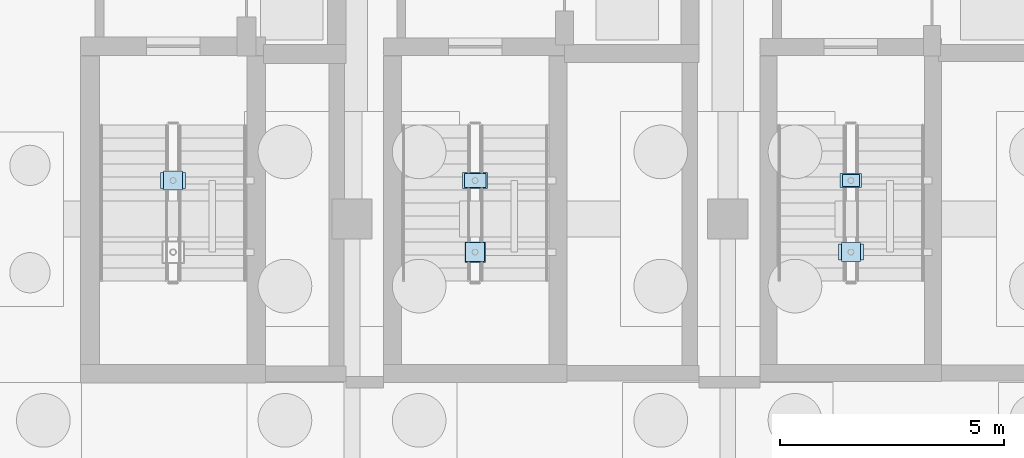
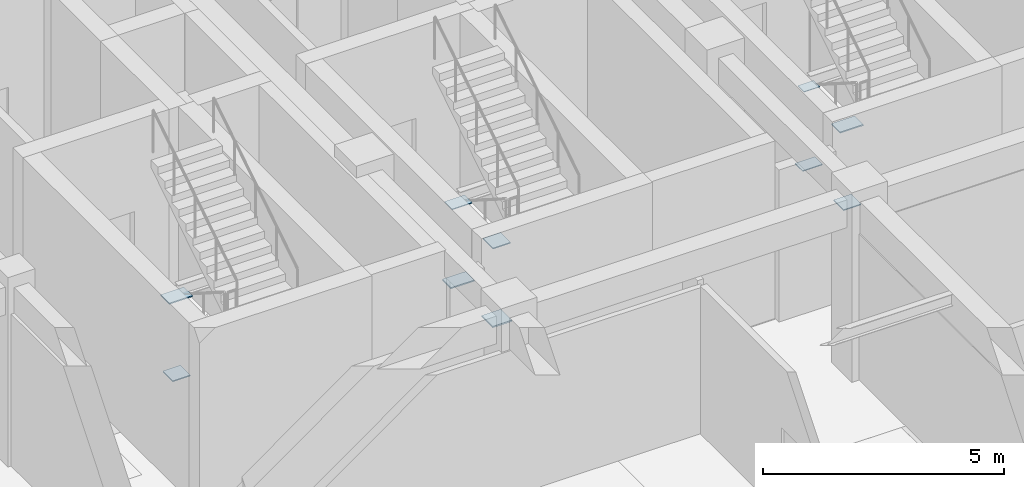
# One storey, part 35 of 49: 10 plates.
"""IFC4 building model written with IfcOpenShell, lengths in metres."""

from ifc_helpers import new_model, si_unit, direction, frame, origin, origin_2d, place, context, subcontext, project, spatial, rectangle, extrude, material, layer, layer_set, type_object, element, save


model = new_model("IFC4")

# Units and contexts
model_context = context("Model", 3, precision=1e-05, world=origin(), true_north=direction((0.0, 1.0)))
body_context = subcontext(model_context, "Body", "Model", "MODEL_VIEW")
ifc_project = project(units=[si_unit("LENGTHUNIT", "METRE"), si_unit("AREAUNIT", "SQUARE_METRE"), si_unit("VOLUMEUNIT", "CUBIC_METRE"), si_unit("PLANEANGLEUNIT", "RADIAN"), si_unit("MASSUNIT", "GRAM", prefix="KILO")], contexts=[model_context])

# Site, building, storey
site_placement = place(None, origin())
site = spatial("IfcSite", under=ifc_project, at=site_placement, CompositionType="ELEMENT")
building_placement = place(site_placement, origin())
building = spatial("IfcBuilding", under=site, at=building_placement, Name="Krzemoval Escarpment Law Courts", CompositionType="ELEMENT")
storey_placement = place(building_placement, frame((0.0, 0.0, -4.800048828125)))
storey = spatial("IfcBuildingStorey", under=building, at=storey_placement, Name="B1", CompositionType="ELEMENT", Elevation=-4.800048828125)

# Plates
ifc_material_1 = material(Name="Steel S355", Category="steel")
ifc_layer_1 = layer(ifc_material_1, 0.02392578125)
ifc_layer_set_1 = layer_set([ifc_layer_1], Name="Steel S355")
plate_type_1 = type_object("IfcPlateType", Name="PLT-FLG-24", PredefinedType="USERDEFINED", material=ifc_layer_set_1)
for number, where, z_axis, x_axis, name in (
    (1, (130.39990234375, 100.4599609375, -0.011962890625), (0.0, 0.0, 1.0), (1.0, 0.0, 0.0), "Gusset and End-Cap Plate ECP-0296"),
    (2, (137.14990234375, 98.860107421875, 1.9580078125), (0.0, 0.0, 1.0), (1.0, 0.0, 0.0), "Gusset and End-Cap Plate ECP-0317"),
    (3, (145.550048828125, 98.860107421875, -0.011962890625), (0.0, 0.0, 1.0), (1.0, 0.0, 0.0), "Gusset and End-Cap Plate ECP-0338"),
):
    element("IfcPlate", number, at=place(storey_placement, frame(where, z_axis=z_axis, x_axis=x_axis)), inside=storey, type_object=plate_type_1, Name=name, ObjectType="FLANGE_PLATE", PredefinedType="USERDEFINED", context=body_context, shape_type="SweptSolid", body=[
        extrude(rectangle(XDim=0.419921875, YDim=0.419921875, at=origin_2d()), origin(), (0.0, 0.0, 1.0), 0.02392578125),
    ])
ifc_material_2 = material(Name="Steel S355", Category="steel")
ifc_layer_2 = layer(ifc_material_2, 0.034912109375)
ifc_layer_set_2 = layer_set([ifc_layer_2], Name="Steel S355")
plate_type_2 = type_object("IfcPlateType", Name="PLT-FLG-35", PredefinedType="USERDEFINED", material=ifc_layer_set_2)
plate_1_placement = place(storey_placement, frame((137.14990234375, 98.860107421875, -0.017578125), z_axis=(0.0, 0.0, 1.0), x_axis=(1.0, 0.0, 0.0)))
element("IfcPlate", 4, at=plate_1_placement, inside=storey, type_object=plate_type_2, Name="Gusset and End-Cap Plate ECP-0316", ObjectType="FLANGE_PLATE", PredefinedType="USERDEFINED", context=body_context, shape_type="SweptSolid", body=[
    extrude(rectangle(XDim=0.4599609375, YDim=0.4599609375, at=origin_2d()), origin(), (0.0, 0.0, 1.0), 0.034912109375),
])
ifc_material_3 = material(Name="Steel S355", Category="steel")
ifc_layer_3 = layer(ifc_material_3, 0.01611328125)
ifc_layer_set_3 = layer_set([ifc_layer_3], Name="Steel S355")
plate_type_3 = type_object("IfcPlateType", Name="PLT-GUS-16", PredefinedType="USERDEFINED", material=ifc_layer_set_3)
plate_2_placement = place(storey_placement, frame((145.550048828125, 100.4599609375, 1.9619140625), z_axis=(0.0, 0.0, 1.0), x_axis=(1.0, 0.0, 0.0)))
element("IfcPlate", 5, at=plate_2_placement, inside=storey, type_object=plate_type_3, Name="Gusset and End-Cap Plate ECP-0341", ObjectType="GUSSET_PLATE", PredefinedType="USERDEFINED", context=body_context, shape_type="SweptSolid", body=[
    extrude(rectangle(XDim=0.3798828125, YDim=0.260009765625, at=origin_2d()), origin(), (0.0, 0.0, 1.0), 0.01611328125),
])
ifc_material_4 = material(Name="Steel S355", Category="steel")
ifc_layer_4 = layer(ifc_material_4, 0.02001953125)
ifc_layer_set_4 = layer_set([ifc_layer_4], Name="Steel S355")
plate_type_4 = type_object("IfcPlateType", Name="PLT-GUS-20", PredefinedType="USERDEFINED", material=ifc_layer_set_4)
for number, where, z_axis, x_axis, name in (
    (6, (137.14990234375, 100.4599609375, 1.9599609375), (0.0, 0.0, 1.0), (1.0, 0.0, 0.0), "Gusset and End-Cap Plate ECP-0319"),
    (7, (145.550048828125, 100.4599609375, -0.010009765625), (0.0, 0.0, 1.0), (1.0, 0.0, 0.0), "Gusset and End-Cap Plate ECP-0340"),
):
    element("IfcPlate", number, at=place(storey_placement, frame(where, z_axis=z_axis, x_axis=x_axis)), inside=storey, type_object=plate_type_4, Name=name, ObjectType="GUSSET_PLATE", PredefinedType="USERDEFINED", context=body_context, shape_type="SweptSolid", body=[
        extrude(rectangle(XDim=0.47998046875, YDim=0.320068359375, at=origin_2d()), origin(), (0.0, 0.0, 1.0), 0.02001953125),
    ])
ifc_material_5 = material(Name="Steel S355", Category="steel")
ifc_layer_5 = layer(ifc_material_5, 0.030029296875)
ifc_layer_set_5 = layer_set([ifc_layer_5], Name="Steel S355")
plate_type_5 = type_object("IfcPlateType", Name="PLT-GUS-30", PredefinedType="USERDEFINED", material=ifc_layer_set_5)
for number, where, z_axis, x_axis, name in (
    (8, (130.39990234375, 100.4599609375, 1.955078125), (0.0, 0.0, 1.0), (1.0, 0.0, 0.0), "Gusset and End-Cap Plate ECP-0297"),
    (9, (137.14990234375, 100.4599609375, -0.01513671875), (0.0, 0.0, 1.0), (1.0, 0.0, 0.0), "Gusset and End-Cap Plate ECP-0318"),
    (10, (145.550048828125, 98.860107421875, 1.955078125), (0.0, 0.0, 1.0), (1.0, 0.0, 0.0), "Gusset and End-Cap Plate ECP-0339"),
):
    element("IfcPlate", number, at=place(storey_placement, frame(where, z_axis=z_axis, x_axis=x_axis)), inside=storey, type_object=plate_type_5, Name=name, ObjectType="GUSSET_PLATE", PredefinedType="USERDEFINED", context=body_context, shape_type="SweptSolid", body=[
        extrude(rectangle(XDim=0.56005859375, YDim=0.360107421875, at=origin_2d()), origin(), (0.0, 0.0, 1.0), 0.030029296875),
    ])

save(model, "model.ifc")
